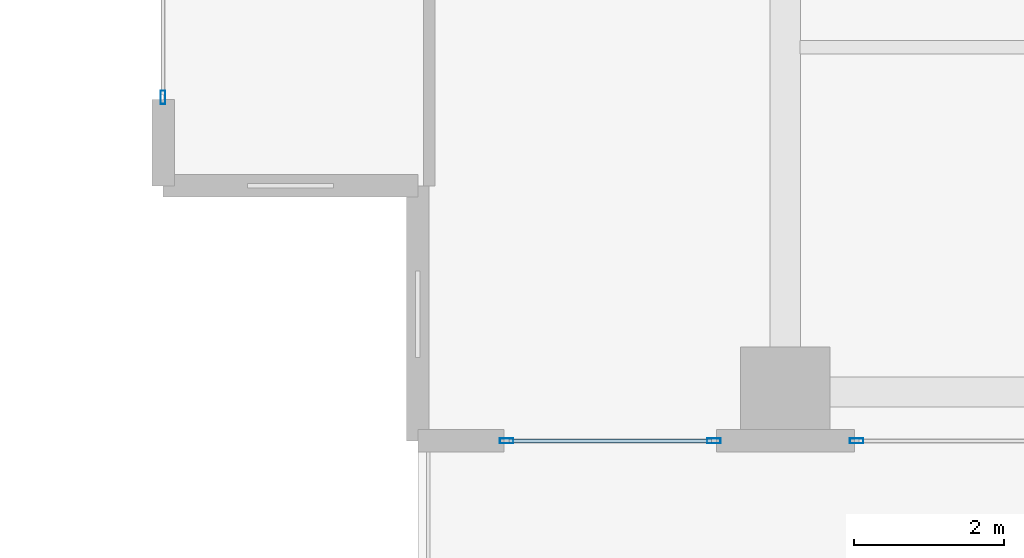
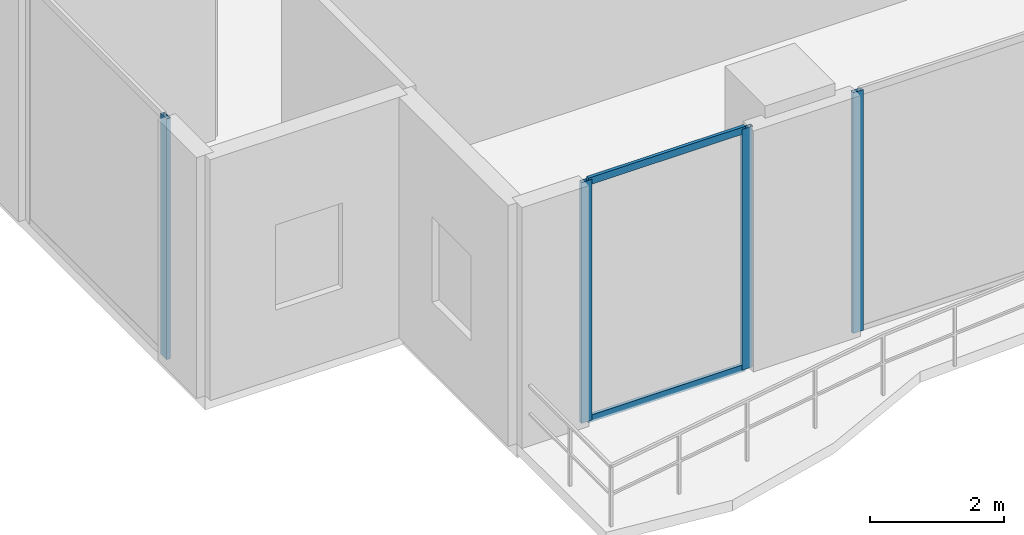
# One storey, part 2 of 33: 6 members, 3 elements without a shape of their own.
"""IFC4 building model written with IfcOpenShell, lengths in metres."""

from ifc_helpers import new_model, si_unit, direction, frame, origin, origin_2d, place, context, subcontext, project, spatial, hollow_rectangle, extrude, material, layer, layer_set, material_profile, profile_set, type_object, element, aggregate, save


model = new_model("IFC4")

# Units and contexts
model_context = context("Model", 3, precision=1e-05, world=origin(), true_north=direction((0.0, 1.0)))
body_context = subcontext(model_context, "Body", "Model", "MODEL_VIEW")
ifc_project = project(units=[si_unit("LENGTHUNIT", "METRE"), si_unit("AREAUNIT", "SQUARE_METRE"), si_unit("VOLUMEUNIT", "CUBIC_METRE"), si_unit("PLANEANGLEUNIT", "RADIAN"), si_unit("MASSUNIT", "GRAM", prefix="KILO")], contexts=[model_context])

# Site, building, storey
site_placement = place(None, origin())
site = spatial("IfcSite", under=ifc_project, at=site_placement, CompositionType="ELEMENT")
building_placement = place(site_placement, origin())
building = spatial("IfcBuilding", under=site, at=building_placement, Name="Zuhayl Quay Hotel", CompositionType="ELEMENT")
storey_placement = place(building_placement, frame((0.0, 0.0, 168.199951171875)))
storey = spatial("IfcBuildingStorey", under=building, at=storey_placement, Name="L42", CompositionType="ELEMENT", Elevation=168.199951171875)

# Curtain wall, member
ifc_material_1 = material(Name="Anodised Aluminium 6063-T6", Category="aluminium")
ifc_layer = layer(ifc_material_1, 0.175048828125, Name="Anodised Aluminium 6063-T6", Category="aluminium")
ifc_layer_set = layer_set([ifc_layer], Name="Anodised Aluminium 6063-T6")
curtain_wall_type = type_object("IfcCurtainWallType", Name="CW_SYS_Z3", PredefinedType="USERDEFINED", material=ifc_layer_set)
curtain_wall_1_placement = place(storey_placement, origin())
curtain_wall_1 = element("IfcCurtainWall", 1, at=curtain_wall_1_placement, inside=storey, type_object=curtain_wall_type, Name="L42 Curtain Wall ENV_L42_E02_CW1", ObjectType="UNITISED CURTAIN WALL", PredefinedType="USERDEFINED")
ifc_material_2 = material(Name="Black-anodised aluminium 6063-T6", Category="aluminium")
ifc_material_profile_1 = material_profile(ifc_material_2, hollow_rectangle(XDim=0.06494140625, YDim=0.179931640625, WallThickness=0.00341796875, at=origin_2d()), Name="ALU180X65")
ifc_profile_set_1 = profile_set([ifc_material_profile_1], Name="Black-anodised aluminium 6063-T6")
member_type_1 = type_object("IfcMemberType", Name="MB_CW_MUL_180", PredefinedType="MULLION", material=ifc_profile_set_1)
member_1_placement = place(storey_placement, frame((-22.10009765625, -3.017578125, 0.0), z_axis=(0.0, 0.0, 1.0), x_axis=(-1.0, 0.0, 0.0)))
member_1 = element("IfcMember", 2, at=member_1_placement, type_object=member_type_1, Name="CW-Z3 mullion 1", PredefinedType="MULLION", context=body_context, shape_type="SweptSolid", body=[
    extrude(hollow_rectangle(XDim=0.06494140625, YDim=0.179931640625, WallThickness=0.00341796875, at=origin_2d()), origin(), (0.0, 0.0, 1.0), 4.380126953125),
])
aggregate(curtain_wall_1, [member_1])

curtain_wall_2_placement = place(storey_placement, origin())
curtain_wall_2 = element("IfcCurtainWall", 3, at=curtain_wall_2_placement, inside=storey, type_object=curtain_wall_type, Name="L42 Curtain Wall ENV_L42_S_CW4", ObjectType="UNITISED CURTAIN WALL", PredefinedType="USERDEFINED")
member_2_placement = place(storey_placement, frame((-12.847412109375, -7.60009765625, 0.0), z_axis=(0.0, 0.0, 1.0), x_axis=(0.0, -1.0, 0.0)))
member_2 = element("IfcMember", 4, at=member_2_placement, type_object=member_type_1, Name="CW-Z3 mullion 2", PredefinedType="MULLION", context=body_context, shape_type="SweptSolid", body=[
    extrude(hollow_rectangle(XDim=0.06494140625, YDim=0.179931640625, WallThickness=0.00341796875, at=origin_2d()), origin(), (0.0, 0.0, 1.0), 4.380126953125),
])
aggregate(curtain_wall_2, [member_2])

# Curtain wall, members
curtain_wall_3_placement = place(storey_placement, origin())
curtain_wall_3 = element("IfcCurtainWall", 5, at=curtain_wall_3_placement, inside=storey, type_object=curtain_wall_type, Name="L42 Curtain Wall ENV_L42_S_CW5", ObjectType="UNITISED CURTAIN WALL", PredefinedType="USERDEFINED")
member_3_placement = place(storey_placement, frame((-14.75244140625, -7.60009765625, 0.0), z_axis=(0.0, 0.0, 1.0), x_axis=(0.0, -1.0, 0.0)))
member_3 = element("IfcMember", 6, at=member_3_placement, type_object=member_type_1, Name="CW-Z3 mullion 1", PredefinedType="MULLION", context=body_context, shape_type="SweptSolid", body=[
    extrude(hollow_rectangle(XDim=0.06494140625, YDim=0.179931640625, WallThickness=0.00341796875, at=origin_2d()), origin(), (0.0, 0.0, 1.0), 4.380126953125),
])
member_4_placement = place(storey_placement, frame((-17.517578125, -7.60009765625, 0.0), z_axis=(0.0, 0.0, 1.0), x_axis=(0.0, -1.0, 0.0)))
member_4 = element("IfcMember", 7, at=member_4_placement, type_object=member_type_1, Name="CW-Z3 mullion 2", PredefinedType="MULLION", context=body_context, shape_type="SweptSolid", body=[
    extrude(hollow_rectangle(XDim=0.06494140625, YDim=0.179931640625, WallThickness=0.00341796875, at=origin_2d()), origin(), (0.0, 0.0, 1.0), 4.380126953125),
])
ifc_material_profile_2 = material_profile(ifc_material_2, hollow_rectangle(XDim=0.054931640625, YDim=0.1298828125, WallThickness=0.0029296875, at=origin_2d()), Name="ALU130X55")
ifc_profile_set_2 = profile_set([ifc_material_profile_2], Name="Black-anodised aluminium 6063-T6")
member_type_2 = type_object("IfcMemberType", Name="MB_CW_TRN_130", PredefinedType="USERDEFINED", material=ifc_profile_set_2)
member_5_placement = place(storey_placement, frame((-14.784912109375, -7.60009765625, 0.027587890625), z_axis=(-1.0, 0.0, 0.0), x_axis=(0.0, -1.0, 0.0)))
member_5 = element("IfcMember", 8, at=member_5_placement, type_object=member_type_2, Name="CW-Z3 transom 1.1", ObjectType="TRANSOM", PredefinedType="USERDEFINED", context=body_context, shape_type="SweptSolid", body=[
    extrude(hollow_rectangle(XDim=0.054931640625, YDim=0.1298828125, WallThickness=0.0029296875, at=origin_2d()), origin(), (0.0, 0.0, 1.0), 2.7001953125),
])
member_6_placement = place(storey_placement, frame((-14.784912109375, -7.60009765625, 4.3525390625), z_axis=(-1.0, 0.0, 0.0), x_axis=(0.0, -1.0, 0.0)))
member_6 = element("IfcMember", 9, at=member_6_placement, type_object=member_type_2, Name="CW-Z3 transom 1.2", ObjectType="TRANSOM", PredefinedType="USERDEFINED", context=body_context, shape_type="SweptSolid", body=[
    extrude(hollow_rectangle(XDim=0.054931640625, YDim=0.1298828125, WallThickness=0.0029296875, at=origin_2d()), origin(), (0.0, 0.0, 1.0), 2.7001953125),
])
aggregate(curtain_wall_3, [member_3, member_4, member_5, member_6])

save(model, "model.ifc")
